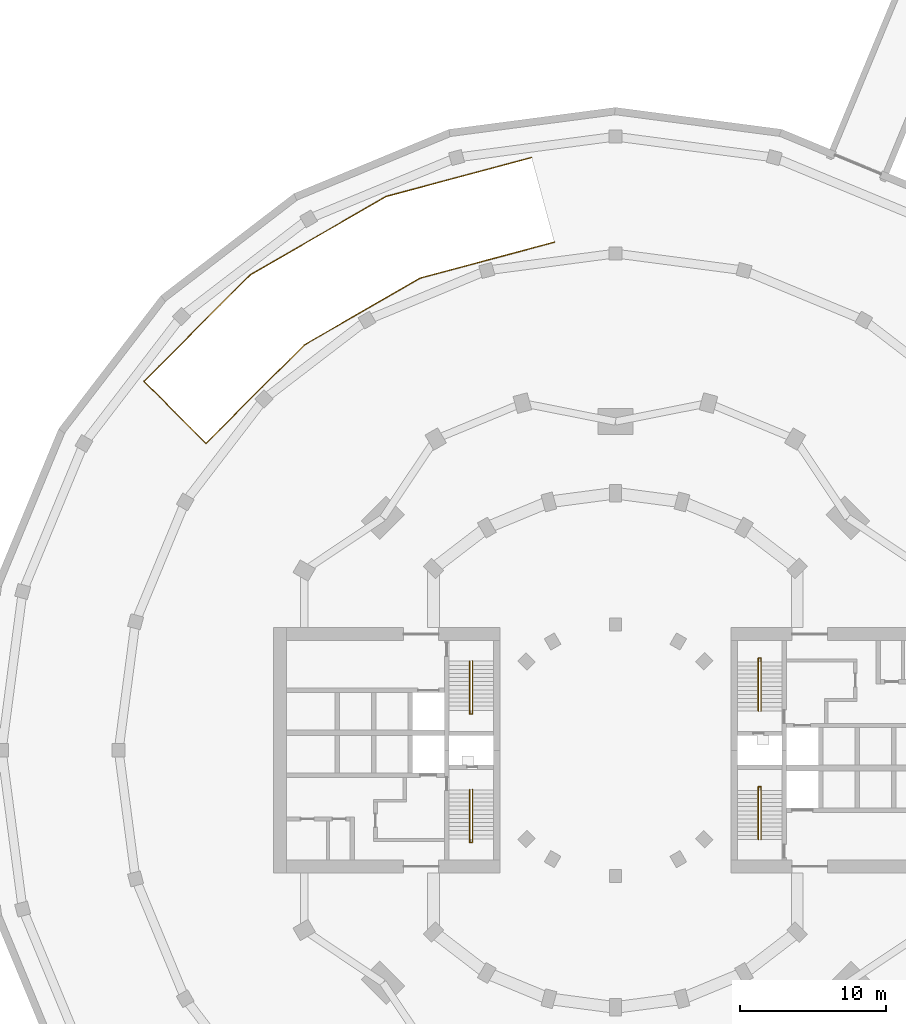
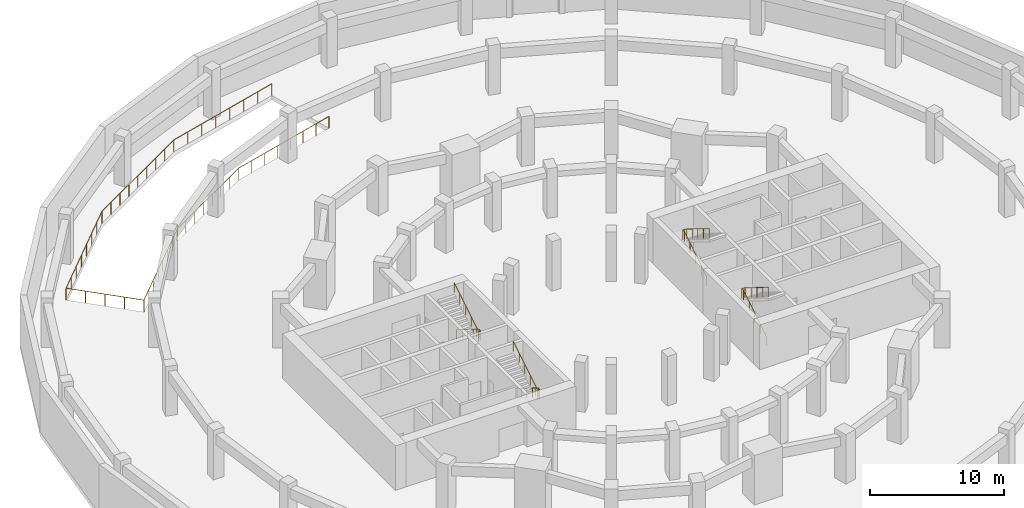
# One storey, part 7 of 7: 5 railings.
"""IFC4 building model written with IfcOpenShell, lengths in metres."""

from ifc_helpers import new_model, si_unit, direction, frame, origin, origin_2d, place, context, subcontext, project, spatial, circle, extrude, material, type_object, element, save


model = new_model("IFC4")

# Units and contexts
model_context = context("Model", 3, precision=1e-05, world=origin(), true_north=direction((0.0, 1.0)))
body_context = subcontext(model_context, "Body", "Model", "MODEL_VIEW")
ifc_project = project(units=[si_unit("LENGTHUNIT", "METRE"), si_unit("AREAUNIT", "SQUARE_METRE"), si_unit("VOLUMEUNIT", "CUBIC_METRE"), si_unit("PLANEANGLEUNIT", "RADIAN"), si_unit("MASSUNIT", "GRAM", prefix="KILO")], contexts=[model_context])

# Site, building, storey
site_placement = place(None, origin())
site = spatial("IfcSite", under=ifc_project, at=site_placement, CompositionType="ELEMENT")
building_placement = place(site_placement, origin())
building = spatial("IfcBuilding", under=site, at=building_placement, Name="Torre Brocal", CompositionType="ELEMENT")
storey_placement = place(building_placement, frame((0.0, 0.0, -4.5)))
storey = spatial("IfcBuildingStorey", under=building, at=storey_placement, Name="B1", CompositionType="ELEMENT", Elevation=-4.5)

# Railings
ifc_material_1 = material(Name="Steel A992", Category="steel")
railing_type_1 = type_object("IfcRailingType", Name="RAMP GUARD", PredefinedType="GUARDRAIL", material=ifc_material_1)
railing_1_placement = place(storey_placement, frame((75.81640625, 109.777099609375, 0.0)))
element("IfcRailing", 1, at=railing_1_placement, inside=storey, type_object=railing_type_1, Name="Railing RG-01", PredefinedType="GUARDRAIL", context=body_context, shape_type="SweptSolid", body=[
    extrude(circle(Radius=0.02490234375, at=origin_2d()), frame((0.0, 0.0, 1.0751953125), z_axis=(-0.965923681646, -0.258827048886, 0.0), x_axis=(0.258827048886, -0.965923681646, 0.0)), (0.0, 0.0, 1.0), 9.52490234375),
    extrude(circle(Radius=0.02490234375, at=origin_2d()), frame((-9.200439453125, -2.46533203125, 1.0751953125), z_axis=(-0.866026165896, -0.499998679983, 0.0), x_axis=(0.499998679983, -0.866026165896, 0.0)), (0.0, 0.0, 1.0), 9.1298828125),
    extrude(circle(Radius=0.02490234375, at=origin_2d()), frame((-17.107177734375, -7.0302734375, 1.0751953125), z_axis=(-0.70711959678, -0.707093965361, 0.0), x_axis=(0.707093965361, -0.70711959678, 0.0)), (0.0, 0.0, 1.0), 9.525146484375),
    extrude(circle(Radius=0.02490234375, at=origin_2d()), frame((-23.842529296875, -13.765380859375, 1.0751953125), z_axis=(-0.707127126363, 0.707086435425, 0.0), x_axis=(-0.707086435425, -0.707127126363, 0.0)), (0.0, 0.0, 1.0), 5.999755859375),
    extrude(circle(Radius=0.02490234375, at=origin_2d()), frame((-28.085205078125, -9.52294921875, 1.0751953125), z_axis=(0.707094946862, 0.707118615313, 0.0), x_axis=(-0.707118615313, 0.707094946862, 0.0)), (0.0, 0.0, 1.0), 10.31494140625),
    extrude(circle(Radius=0.02490234375, at=origin_2d()), frame((-20.79150390625, -2.22900390625, 1.0751953125), z_axis=(0.866026529808, 0.499998049665, 0.0), x_axis=(-0.499998049665, 0.866026529808, 0.0)), (0.0, 0.0, 1.0), 10.7099609375),
    extrude(circle(Radius=0.02490234375, at=origin_2d()), frame((-11.516357421875, 3.1259765625, 1.0751953125), z_axis=(0.965925865006, 0.258818900609, 0.0), x_axis=(-0.258818900609, 0.965925865006, 0.0)), (0.0, 0.0, 1.0), 10.31494140625),
    extrude(circle(Radius=0.02490234375, at=origin_2d()), origin(), (0.0, 0.0, 1.0), 1.050048828125),
    extrude(circle(Radius=0.02490234375, at=origin_2d()), frame((-1.314453125, -0.352294921875, 0.0)), (0.0, 0.0, 1.0), 1.050048828125),
    extrude(circle(Radius=0.02490234375, at=origin_2d()), frame((-2.628662109375, -0.704345703125, 0.0)), (0.0, 0.0, 1.0), 1.050048828125),
    extrude(circle(Radius=0.02490234375, at=origin_2d()), frame((-3.943115234375, -1.056640625, 0.0)), (0.0, 0.0, 1.0), 1.050048828125),
    extrude(circle(Radius=0.02490234375, at=origin_2d()), frame((-5.25732421875, -1.40869140625, 0.0)), (0.0, 0.0, 1.0), 1.050048828125),
    extrude(circle(Radius=0.02490234375, at=origin_2d()), frame((-6.57177734375, -1.760986328125, 0.0)), (0.0, 0.0, 1.0), 1.050048828125),
    extrude(circle(Radius=0.02490234375, at=origin_2d()), frame((-7.885986328125, -2.113037109375, 0.0)), (0.0, 0.0, 1.0), 1.050048828125),
    extrude(circle(Radius=0.02490234375, at=origin_2d()), frame((-9.200439453125, -2.46533203125, 0.0)), (0.0, 0.0, 1.0), 1.050048828125),
    extrude(circle(Radius=0.02490234375, at=origin_2d()), frame((-10.330078125, -3.117431640625, 0.0)), (0.0, 0.0, 1.0), 1.050048828125),
    extrude(circle(Radius=0.02490234375, at=origin_2d()), frame((-11.45947265625, -3.76953125, 0.0)), (0.0, 0.0, 1.0), 1.050048828125),
    extrude(circle(Radius=0.02490234375, at=origin_2d()), frame((-12.589111328125, -4.421630859375, 0.0)), (0.0, 0.0, 1.0), 1.050048828125),
    extrude(circle(Radius=0.02490234375, at=origin_2d()), frame((-13.718505859375, -5.073974609375, 0.0)), (0.0, 0.0, 1.0), 1.050048828125),
    extrude(circle(Radius=0.02490234375, at=origin_2d()), frame((-14.84814453125, -5.72607421875, 0.0)), (0.0, 0.0, 1.0), 1.050048828125),
    extrude(circle(Radius=0.02490234375, at=origin_2d()), frame((-15.9775390625, -6.378173828125, 0.0)), (0.0, 0.0, 1.0), 1.050048828125),
    extrude(circle(Radius=0.02490234375, at=origin_2d()), frame((-17.107177734375, -7.0302734375, 0.0)), (0.0, 0.0, 1.0), 1.050048828125),
    extrude(circle(Radius=0.02490234375, at=origin_2d()), frame((-18.0693359375, -7.992431640625, 0.0)), (0.0, 0.0, 1.0), 1.050048828125),
    extrude(circle(Radius=0.02490234375, at=origin_2d()), frame((-19.031494140625, -8.95458984375, 0.0)), (0.0, 0.0, 1.0), 1.050048828125),
    extrude(circle(Radius=0.02490234375, at=origin_2d()), frame((-19.99365234375, -9.916748046875, 0.0)), (0.0, 0.0, 1.0), 1.050048828125),
    extrude(circle(Radius=0.02490234375, at=origin_2d()), frame((-20.9560546875, -10.87890625, 0.0)), (0.0, 0.0, 1.0), 1.050048828125),
    extrude(circle(Radius=0.02490234375, at=origin_2d()), frame((-21.918212890625, -11.841064453125, 0.0)), (0.0, 0.0, 1.0), 1.050048828125),
    extrude(circle(Radius=0.02490234375, at=origin_2d()), frame((-22.88037109375, -12.80322265625, 0.0)), (0.0, 0.0, 1.0), 1.050048828125),
    extrude(circle(Radius=0.02490234375, at=origin_2d()), frame((-23.842529296875, -13.765380859375, 0.0)), (0.0, 0.0, 1.0), 1.050048828125),
    extrude(circle(Radius=0.02490234375, at=origin_2d()), frame((-24.9033203125, -12.704833984375, 0.0)), (0.0, 0.0, 1.0), 1.050048828125),
    extrude(circle(Radius=0.02490234375, at=origin_2d()), frame((-25.9638671875, -11.64404296875, 0.0)), (0.0, 0.0, 1.0), 1.050048828125),
    extrude(circle(Radius=0.02490234375, at=origin_2d()), frame((-27.0244140625, -10.58349609375, 0.0)), (0.0, 0.0, 1.0), 1.050048828125),
    extrude(circle(Radius=0.02490234375, at=origin_2d()), frame((-28.085205078125, -9.52294921875, 0.0)), (0.0, 0.0, 1.0), 1.050048828125),
    extrude(circle(Radius=0.02490234375, at=origin_2d()), frame((-27.043212890625, -8.48095703125, 0.0)), (0.0, 0.0, 1.0), 1.050048828125),
    extrude(circle(Radius=0.02490234375, at=origin_2d()), frame((-26.001220703125, -7.43896484375, 0.0)), (0.0, 0.0, 1.0), 1.050048828125),
    extrude(circle(Radius=0.02490234375, at=origin_2d()), frame((-24.959228515625, -6.39697265625, 0.0)), (0.0, 0.0, 1.0), 1.050048828125),
    extrude(circle(Radius=0.02490234375, at=origin_2d()), frame((-23.91748046875, -5.35498046875, 0.0)), (0.0, 0.0, 1.0), 1.050048828125),
    extrude(circle(Radius=0.02490234375, at=origin_2d()), frame((-22.87548828125, -4.31298828125, 0.0)), (0.0, 0.0, 1.0), 1.050048828125),
    extrude(circle(Radius=0.02490234375, at=origin_2d()), frame((-21.83349609375, -3.27099609375, 0.0)), (0.0, 0.0, 1.0), 1.050048828125),
    extrude(circle(Radius=0.02490234375, at=origin_2d()), frame((-20.79150390625, -2.22900390625, 0.0)), (0.0, 0.0, 1.0), 1.050048828125),
    extrude(circle(Radius=0.02490234375, at=origin_2d()), frame((-19.632080078125, -1.5595703125, 0.0)), (0.0, 0.0, 1.0), 1.050048828125),
    extrude(circle(Radius=0.02490234375, at=origin_2d()), frame((-18.47265625, -0.89013671875, 0.0)), (0.0, 0.0, 1.0), 1.050048828125),
    extrude(circle(Radius=0.02490234375, at=origin_2d()), frame((-17.313232421875, -0.220947265625, 0.0)), (0.0, 0.0, 1.0), 1.050048828125),
    extrude(circle(Radius=0.02490234375, at=origin_2d()), frame((-16.15380859375, 0.448486328125, 0.0)), (0.0, 0.0, 1.0), 1.050048828125),
    extrude(circle(Radius=0.02490234375, at=origin_2d()), frame((-14.99462890625, 1.117919921875, 0.0)), (0.0, 0.0, 1.0), 1.050048828125),
    extrude(circle(Radius=0.02490234375, at=origin_2d()), frame((-13.835205078125, 1.787109375, 0.0)), (0.0, 0.0, 1.0), 1.050048828125),
    extrude(circle(Radius=0.02490234375, at=origin_2d()), frame((-12.67578125, 2.45654296875, 0.0)), (0.0, 0.0, 1.0), 1.050048828125),
    extrude(circle(Radius=0.02490234375, at=origin_2d()), frame((-11.516357421875, 3.1259765625, 0.0)), (0.0, 0.0, 1.0), 1.050048828125),
    extrude(circle(Radius=0.02490234375, at=origin_2d()), frame((-10.093017578125, 3.50732421875, 0.0)), (0.0, 0.0, 1.0), 1.050048828125),
    extrude(circle(Radius=0.02490234375, at=origin_2d()), frame((-8.669677734375, 3.888671875, 0.0)), (0.0, 0.0, 1.0), 1.050048828125),
    extrude(circle(Radius=0.02490234375, at=origin_2d()), frame((-7.246337890625, 4.27001953125, 0.0)), (0.0, 0.0, 1.0), 1.050048828125),
    extrude(circle(Radius=0.02490234375, at=origin_2d()), frame((-5.822998046875, 4.651611328125, 0.0)), (0.0, 0.0, 1.0), 1.050048828125),
    extrude(circle(Radius=0.02490234375, at=origin_2d()), frame((-4.399658203125, 5.032958984375, 0.0)), (0.0, 0.0, 1.0), 1.050048828125),
    extrude(circle(Radius=0.02490234375, at=origin_2d()), frame((-2.976318359375, 5.414306640625, 0.0)), (0.0, 0.0, 1.0), 1.050048828125),
    extrude(circle(Radius=0.02490234375, at=origin_2d()), frame((-1.552978515625, 5.795654296875, 0.0)), (0.0, 0.0, 1.0), 1.050048828125),
])
ifc_material_2 = material(Name="Stainless steel AISI 316", Category="steel")
railing_type_2 = type_object("IfcRailingType", Name="STAIR HANDRAIL", PredefinedType="HANDRAIL", material=ifc_material_2)
railing_2_placement = place(storey_placement, frame((89.780029296875, 77.699951171875, 0.173095703125)))
element("IfcRailing", 2, at=railing_2_placement, inside=storey, type_object=railing_type_2, Name="HANDRAIL ST1", PredefinedType="HANDRAIL", context=body_context, shape_type="SweptSolid", body=[
    extrude(circle(Radius=0.02392578125, at=origin_2d()), frame((0.0, 0.0, 0.8759765625), z_axis=(0.0, 0.850623216509, 0.525775754039), x_axis=(-1.0, 0.0, 0.0)), (0.0, 0.0, 1.0), 3.9501953125),
    extrude(circle(Radius=0.02392578125, at=origin_2d()), frame((0.0, 3.360107421875, 2.95263671875), z_axis=(0.0, 1.0, 0.0), x_axis=(-1.0, 0.0, 0.0)), (0.0, 0.0, 1.0), 0.25),
    extrude(circle(Radius=0.02392578125, at=origin_2d()), frame((0.0, 3.610107421875, 2.95263671875), z_axis=(1.0, 0.0, 0.0), x_axis=(0.0, 1.0, 0.0)), (0.0, 0.0, 1.0), 0.18994140625),
    extrude(circle(Radius=0.02392578125, at=origin_2d()), frame((0.18994140625, 3.610107421875, 2.95263671875), z_axis=(0.0, -0.822163286406, 0.569251728576), x_axis=(1.0, 0.0, 0.0)), (0.0, 0.0, 1.0), 0.303955078125),
    extrude(circle(Radius=0.02392578125, at=origin_2d()), frame((0.18994140625, 3.360107421875, 3.1259765625), z_axis=(0.0, -0.850623216509, 0.525775754039), x_axis=(1.0, 0.0, 0.0)), (0.0, 0.0, 1.0), 3.9501953125),
    extrude(circle(Radius=0.02099609375, at=origin_2d()), origin(), (0.0, 0.0, 1.0), 0.851806640625),
    extrude(circle(Radius=0.02099609375, at=origin_2d()), frame((0.0, 0.840087890625, 0.519287109375)), (0.0, 0.0, 1.0), 0.851806640625),
    extrude(circle(Radius=0.02099609375, at=origin_2d()), frame((0.0, 1.68017578125, 1.03857421875)), (0.0, 0.0, 1.0), 0.851806640625),
    extrude(circle(Radius=0.02099609375, at=origin_2d()), frame((0.0, 2.52001953125, 1.5576171875)), (0.0, 0.0, 1.0), 0.851806640625),
    extrude(circle(Radius=0.02099609375, at=origin_2d()), frame((0.0, 3.360107421875, 2.076904296875)), (0.0, 0.0, 1.0), 0.851806640625),
    extrude(circle(Radius=0.02099609375, at=origin_2d()), frame((0.0, 3.610107421875, 2.076904296875)), (0.0, 0.0, 1.0), 0.851806640625),
    extrude(circle(Radius=0.02099609375, at=origin_2d()), frame((0.18994140625, 3.610107421875, 2.076904296875)), (0.0, 0.0, 1.0), 0.851806640625),
    extrude(circle(Radius=0.02099609375, at=origin_2d()), frame((0.18994140625, 3.360107421875, 2.25)), (0.0, 0.0, 1.0), 0.851806640625),
    extrude(circle(Radius=0.02099609375, at=origin_2d()), frame((0.18994140625, 2.52001953125, 2.769287109375)), (0.0, 0.0, 1.0), 0.851806640625),
    extrude(circle(Radius=0.02099609375, at=origin_2d()), frame((0.18994140625, 1.68017578125, 3.28857421875)), (0.0, 0.0, 1.0), 0.851806640625),
    extrude(circle(Radius=0.02099609375, at=origin_2d()), frame((0.18994140625, 0.840087890625, 3.8076171875)), (0.0, 0.0, 1.0), 0.851806640625),
    extrude(circle(Radius=0.02099609375, at=origin_2d()), frame((0.18994140625, 0.0, 4.326904296875)), (0.0, 0.0, 1.0), 0.851806640625),
])
railing_3_placement = place(storey_placement, frame((89.780029296875, 68.89990234375, 0.173095703125)))
element("IfcRailing", 3, at=railing_3_placement, inside=storey, type_object=railing_type_2, Name="HANDRAIL ST2", PredefinedType="HANDRAIL", context=body_context, shape_type="SweptSolid", body=[
    extrude(circle(Radius=0.02392578125, at=origin_2d()), frame((0.0, 0.0, 0.8759765625), z_axis=(0.0, 0.850623216509, 0.525775754039), x_axis=(-1.0, 0.0, 0.0)), (0.0, 0.0, 1.0), 3.9501953125),
    extrude(circle(Radius=0.02392578125, at=origin_2d()), frame((0.0, 3.360107421875, 2.95263671875), z_axis=(0.0, 1.0, 0.0), x_axis=(-1.0, 0.0, 0.0)), (0.0, 0.0, 1.0), 0.25),
    extrude(circle(Radius=0.02392578125, at=origin_2d()), frame((0.0, 3.610107421875, 2.95263671875), z_axis=(1.0, 0.0, 0.0), x_axis=(0.0, 1.0, 0.0)), (0.0, 0.0, 1.0), 0.18994140625),
    extrude(circle(Radius=0.02392578125, at=origin_2d()), frame((0.18994140625, 3.610107421875, 2.95263671875), z_axis=(0.0, -0.822163286406, 0.569251728576), x_axis=(1.0, 0.0, 0.0)), (0.0, 0.0, 1.0), 0.303955078125),
    extrude(circle(Radius=0.02392578125, at=origin_2d()), frame((0.18994140625, 3.360107421875, 3.1259765625), z_axis=(0.0, -0.850623216509, 0.525775754039), x_axis=(1.0, 0.0, 0.0)), (0.0, 0.0, 1.0), 3.9501953125),
    extrude(circle(Radius=0.02099609375, at=origin_2d()), origin(), (0.0, 0.0, 1.0), 0.851806640625),
    extrude(circle(Radius=0.02099609375, at=origin_2d()), frame((0.0, 0.840087890625, 0.519287109375)), (0.0, 0.0, 1.0), 0.851806640625),
    extrude(circle(Radius=0.02099609375, at=origin_2d()), frame((0.0, 1.68017578125, 1.03857421875)), (0.0, 0.0, 1.0), 0.851806640625),
    extrude(circle(Radius=0.02099609375, at=origin_2d()), frame((0.0, 2.52001953125, 1.5576171875)), (0.0, 0.0, 1.0), 0.851806640625),
    extrude(circle(Radius=0.02099609375, at=origin_2d()), frame((0.0, 3.360107421875, 2.076904296875)), (0.0, 0.0, 1.0), 0.851806640625),
    extrude(circle(Radius=0.02099609375, at=origin_2d()), frame((0.0, 3.610107421875, 2.076904296875)), (0.0, 0.0, 1.0), 0.851806640625),
    extrude(circle(Radius=0.02099609375, at=origin_2d()), frame((0.18994140625, 3.610107421875, 2.076904296875)), (0.0, 0.0, 1.0), 0.851806640625),
    extrude(circle(Radius=0.02099609375, at=origin_2d()), frame((0.18994140625, 3.360107421875, 2.25)), (0.0, 0.0, 1.0), 0.851806640625),
    extrude(circle(Radius=0.02099609375, at=origin_2d()), frame((0.18994140625, 2.52001953125, 2.769287109375)), (0.0, 0.0, 1.0), 0.851806640625),
    extrude(circle(Radius=0.02099609375, at=origin_2d()), frame((0.18994140625, 1.68017578125, 3.28857421875)), (0.0, 0.0, 1.0), 0.851806640625),
    extrude(circle(Radius=0.02099609375, at=origin_2d()), frame((0.18994140625, 0.840087890625, 3.8076171875)), (0.0, 0.0, 1.0), 0.851806640625),
    extrude(circle(Radius=0.02099609375, at=origin_2d()), frame((0.18994140625, 0.0, 4.326904296875)), (0.0, 0.0, 1.0), 0.851806640625),
])
railing_4_placement = place(storey_placement, frame((70.219970703125, 72.300048828125, 0.173095703125)))
element("IfcRailing", 4, at=railing_4_placement, inside=storey, type_object=railing_type_2, Name="HANDRAIL ST3", PredefinedType="HANDRAIL", context=body_context, shape_type="SweptSolid", body=[
    extrude(circle(Radius=0.02392578125, at=origin_2d()), frame((0.0, 0.0, 0.8759765625), z_axis=(0.0, -0.850623216509, 0.525775754039), x_axis=(1.0, 0.0, 0.0)), (0.0, 0.0, 1.0), 3.9501953125),
    extrude(circle(Radius=0.02392578125, at=origin_2d()), frame((0.0, -3.360107421875, 2.95263671875), z_axis=(0.0, -1.0, 0.0), x_axis=(1.0, 0.0, 0.0)), (0.0, 0.0, 1.0), 0.25),
    extrude(circle(Radius=0.02392578125, at=origin_2d()), frame((0.0, -3.610107421875, 2.95263671875), z_axis=(-1.0, 0.0, 0.0), x_axis=(0.0, -1.0, 0.0)), (0.0, 0.0, 1.0), 0.18994140625),
    extrude(circle(Radius=0.02392578125, at=origin_2d()), frame((-0.18994140625, -3.610107421875, 2.95263671875), z_axis=(0.0, 0.822163286406, 0.569251728576), x_axis=(-1.0, 0.0, 0.0)), (0.0, 0.0, 1.0), 0.303955078125),
    extrude(circle(Radius=0.02392578125, at=origin_2d()), frame((-0.18994140625, -3.360107421875, 3.1259765625), z_axis=(0.0, 0.850623216509, 0.525775754039), x_axis=(-1.0, 0.0, 0.0)), (0.0, 0.0, 1.0), 3.9501953125),
    extrude(circle(Radius=0.02099609375, at=origin_2d()), origin(), (0.0, 0.0, 1.0), 0.851806640625),
    extrude(circle(Radius=0.02099609375, at=origin_2d()), frame((0.0, -0.840087890625, 0.519287109375)), (0.0, 0.0, 1.0), 0.851806640625),
    extrude(circle(Radius=0.02099609375, at=origin_2d()), frame((0.0, -1.68017578125, 1.03857421875)), (0.0, 0.0, 1.0), 0.851806640625),
    extrude(circle(Radius=0.02099609375, at=origin_2d()), frame((0.0, -2.52001953125, 1.5576171875)), (0.0, 0.0, 1.0), 0.851806640625),
    extrude(circle(Radius=0.02099609375, at=origin_2d()), frame((0.0, -3.360107421875, 2.076904296875)), (0.0, 0.0, 1.0), 0.851806640625),
    extrude(circle(Radius=0.02099609375, at=origin_2d()), frame((0.0, -3.610107421875, 2.076904296875)), (0.0, 0.0, 1.0), 0.851806640625),
    extrude(circle(Radius=0.02099609375, at=origin_2d()), frame((-0.18994140625, -3.610107421875, 2.076904296875)), (0.0, 0.0, 1.0), 0.851806640625),
    extrude(circle(Radius=0.02099609375, at=origin_2d()), frame((-0.18994140625, -3.360107421875, 2.25)), (0.0, 0.0, 1.0), 0.851806640625),
    extrude(circle(Radius=0.02099609375, at=origin_2d()), frame((-0.18994140625, -2.52001953125, 2.769287109375)), (0.0, 0.0, 1.0), 0.851806640625),
    extrude(circle(Radius=0.02099609375, at=origin_2d()), frame((-0.18994140625, -1.68017578125, 3.28857421875)), (0.0, 0.0, 1.0), 0.851806640625),
    extrude(circle(Radius=0.02099609375, at=origin_2d()), frame((-0.18994140625, -0.840087890625, 3.8076171875)), (0.0, 0.0, 1.0), 0.851806640625),
    extrude(circle(Radius=0.02099609375, at=origin_2d()), frame((-0.18994140625, 0.0, 4.326904296875)), (0.0, 0.0, 1.0), 0.851806640625),
])
railing_5_placement = place(storey_placement, frame((70.219970703125, 81.10009765625, 0.173095703125)))
element("IfcRailing", 5, at=railing_5_placement, inside=storey, type_object=railing_type_2, Name="HANDRAIL ST4", PredefinedType="HANDRAIL", context=body_context, shape_type="SweptSolid", body=[
    extrude(circle(Radius=0.02392578125, at=origin_2d()), frame((0.0, 0.0, 0.8759765625), z_axis=(0.0, -0.850623216509, 0.525775754039), x_axis=(1.0, 0.0, 0.0)), (0.0, 0.0, 1.0), 3.9501953125),
    extrude(circle(Radius=0.02392578125, at=origin_2d()), frame((0.0, -3.360107421875, 2.95263671875), z_axis=(0.0, -1.0, 0.0), x_axis=(1.0, 0.0, 0.0)), (0.0, 0.0, 1.0), 0.25),
    extrude(circle(Radius=0.02392578125, at=origin_2d()), frame((0.0, -3.610107421875, 2.95263671875), z_axis=(-1.0, 0.0, 0.0), x_axis=(0.0, -1.0, 0.0)), (0.0, 0.0, 1.0), 0.18994140625),
    extrude(circle(Radius=0.02392578125, at=origin_2d()), frame((-0.18994140625, -3.610107421875, 2.95263671875), z_axis=(0.0, 0.822163286406, 0.569251728576), x_axis=(-1.0, 0.0, 0.0)), (0.0, 0.0, 1.0), 0.303955078125),
    extrude(circle(Radius=0.02392578125, at=origin_2d()), frame((-0.18994140625, -3.360107421875, 3.1259765625), z_axis=(0.0, 0.850623216509, 0.525775754039), x_axis=(-1.0, 0.0, 0.0)), (0.0, 0.0, 1.0), 3.9501953125),
    extrude(circle(Radius=0.02099609375, at=origin_2d()), origin(), (0.0, 0.0, 1.0), 0.851806640625),
    extrude(circle(Radius=0.02099609375, at=origin_2d()), frame((0.0, -0.840087890625, 0.519287109375)), (0.0, 0.0, 1.0), 0.851806640625),
    extrude(circle(Radius=0.02099609375, at=origin_2d()), frame((0.0, -1.68017578125, 1.03857421875)), (0.0, 0.0, 1.0), 0.851806640625),
    extrude(circle(Radius=0.02099609375, at=origin_2d()), frame((0.0, -2.52001953125, 1.5576171875)), (0.0, 0.0, 1.0), 0.851806640625),
    extrude(circle(Radius=0.02099609375, at=origin_2d()), frame((0.0, -3.360107421875, 2.076904296875)), (0.0, 0.0, 1.0), 0.851806640625),
    extrude(circle(Radius=0.02099609375, at=origin_2d()), frame((0.0, -3.610107421875, 2.076904296875)), (0.0, 0.0, 1.0), 0.851806640625),
    extrude(circle(Radius=0.02099609375, at=origin_2d()), frame((-0.18994140625, -3.610107421875, 2.076904296875)), (0.0, 0.0, 1.0), 0.851806640625),
    extrude(circle(Radius=0.02099609375, at=origin_2d()), frame((-0.18994140625, -3.360107421875, 2.25)), (0.0, 0.0, 1.0), 0.851806640625),
    extrude(circle(Radius=0.02099609375, at=origin_2d()), frame((-0.18994140625, -2.52001953125, 2.769287109375)), (0.0, 0.0, 1.0), 0.851806640625),
    extrude(circle(Radius=0.02099609375, at=origin_2d()), frame((-0.18994140625, -1.68017578125, 3.28857421875)), (0.0, 0.0, 1.0), 0.851806640625),
    extrude(circle(Radius=0.02099609375, at=origin_2d()), frame((-0.18994140625, -0.840087890625, 3.8076171875)), (0.0, 0.0, 1.0), 0.851806640625),
    extrude(circle(Radius=0.02099609375, at=origin_2d()), frame((-0.18994140625, 0.0, 4.326904296875)), (0.0, 0.0, 1.0), 0.851806640625),
])

save(model, "model.ifc")
